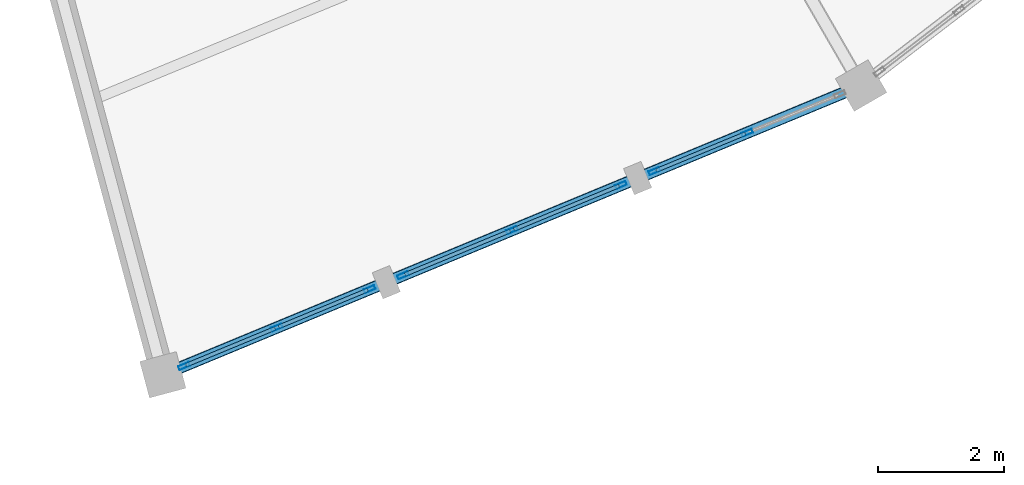
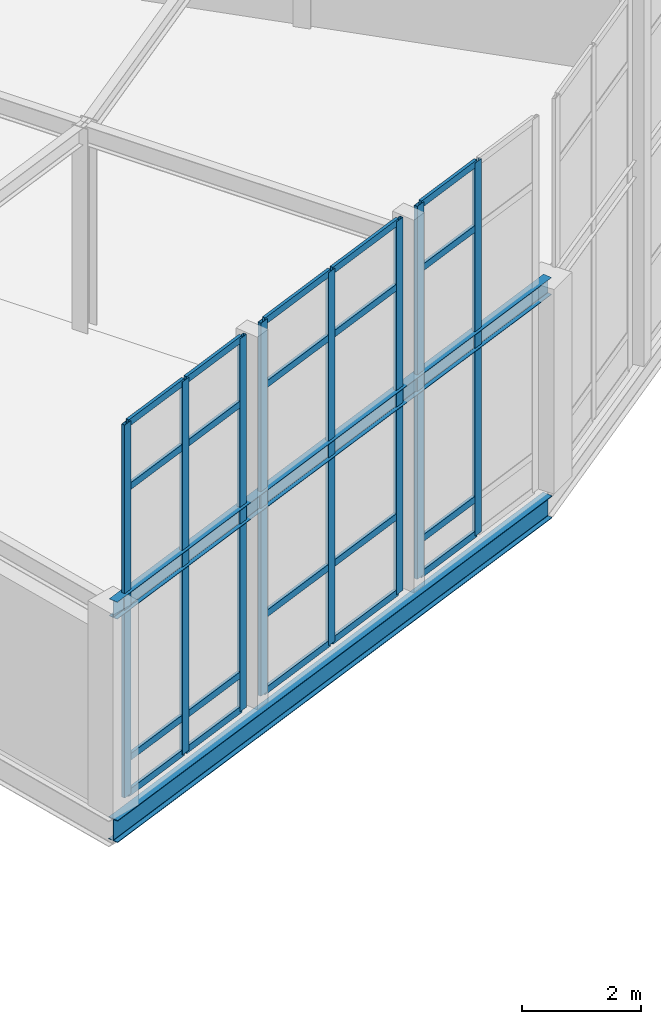
# One storey, part 33 of 170: 28 members, 2 beams, 3 elements without a shape of their own.
"""IFC4 building model written with IfcOpenShell, lengths in metres."""

from ifc_helpers import new_model, si_unit, direction, frame, origin, origin_2d, place, context, subcontext, project, spatial, hollow_rectangle, i_section, extrude, material, material_profile, profile_set, type_object, element, aggregate, save


model = new_model("IFC4")

# Units and contexts
model_context = context("Model", 3, precision=1e-05, world=origin(), true_north=direction((0.0, 1.0)))
body_context = subcontext(model_context, "Body", "Model", "MODEL_VIEW")
ifc_project = project(units=[si_unit("LENGTHUNIT", "METRE"), si_unit("AREAUNIT", "SQUARE_METRE"), si_unit("VOLUMEUNIT", "CUBIC_METRE"), si_unit("PLANEANGLEUNIT", "RADIAN"), si_unit("MASSUNIT", "GRAM", prefix="KILO")], contexts=[model_context])

# Site, building, storey
site_placement = place(None, origin())
site = spatial("IfcSite", under=ifc_project, at=site_placement, CompositionType="ELEMENT")
building_placement = place(site_placement, origin())
building = spatial("IfcBuilding", under=site, at=building_placement, Name="Vondelvale Polytechnic", CompositionType="ELEMENT")
storey_placement = place(building_placement, frame((0.0, 0.0, 5.39990234375)))
storey = spatial("IfcBuildingStorey", under=building, at=storey_placement, Name="L01", CompositionType="ELEMENT", Elevation=5.39990234375)

# Beams
ifc_material_1 = material(Name="Steel 300PLUS (fy = 300 MPa)", Category="steel")
ifc_material_profile_1 = material_profile(ifc_material_1, i_section(OverallWidth=0.1708984375, OverallDepth=0.35205078125, WebThickness=0.0068359375, FlangeThickness=0.009765625, FilletRadius=0.011474609375, at=origin_2d()), Name="360UB44.7")
ifc_profile_set_1 = profile_set([ifc_material_profile_1], Name="Steel 300PLUS (fy = 300 MPa)")
beam_type_1 = type_object("IfcBeamType", Name="BM-UB360L", PredefinedType="BEAM", material=ifc_profile_set_1)
beam_1_placement = place(storey_placement, frame((113.90576171875, 27.5673828125, 4.024169921875), z_axis=(0.923877323614, 0.382688765072, 0.0), x_axis=(-0.382688765072, 0.923877323614, 0.0)))
element("IfcBeam", 1, at=beam_1_placement, inside=storey, type_object=beam_type_1, Name="L01 RE B-24", PredefinedType="BEAM", context=body_context, shape_type="SweptSolid", body=[
    extrude(i_section(OverallWidth=0.1708984375, OverallDepth=0.35205078125, WebThickness=0.0068359375, FlangeThickness=0.009765625, FilletRadius=0.011474609375, at=origin_2d()), origin(), (0.0, 0.0, 1.0), 12.00830078125),
])
ifc_material_profile_2 = material_profile(ifc_material_1, i_section(OverallWidth=0.18994140625, OverallDepth=0.45703125, WebThickness=0.009033203125, FlangeThickness=0.014404296875, FilletRadius=0.011474609375, at=origin_2d()), Name="460UB74.6")
ifc_profile_set_2 = profile_set([ifc_material_profile_2], Name="Steel 300PLUS (fy = 300 MPa)")
beam_type_2 = type_object("IfcBeamType", Name="BM-UB460", PredefinedType="BEAM", material=ifc_profile_set_2)
beam_2_placement = place(storey_placement, frame((113.90576171875, 27.5673828125, -0.50830078125), z_axis=(0.923877323614, 0.382688765072, 0.0), x_axis=(-0.382688765072, 0.923877323614, 0.0)))
element("IfcBeam", 2, at=beam_2_placement, inside=storey, type_object=beam_type_2, Name="L01 RB B-13", PredefinedType="BEAM", context=body_context, shape_type="SweptSolid", body=[
    extrude(i_section(OverallWidth=0.18994140625, OverallDepth=0.45703125, WebThickness=0.009033203125, FlangeThickness=0.014404296875, FilletRadius=0.011474609375, at=origin_2d()), origin(), (0.0, 0.0, 1.0), 12.00830078125),
])

# Curtain wall, members
ifc_material_2 = material(Name="Glulam GL18 structural Tasmanian oak (fb = 42 MPa)", Category="wood")
curtain_wall_type = type_object("IfcCurtainWallType", Name="CW-RING-OUTER", PredefinedType="NOTDEFINED", material=ifc_material_2)
curtain_wall_1_placement = place(storey_placement, origin())
curtain_wall_1 = element("IfcCurtainWall", 3, at=curtain_wall_1_placement, inside=storey, type_object=curtain_wall_type, Name="L01 architectural curtain wall CW-04-338", PredefinedType="NOTDEFINED")
ifc_material_3 = material(Name="Anodised extruded aluminium 6063-T6", Category="aluminium")
ifc_material_profile_3 = material_profile(ifc_material_3, hollow_rectangle(XDim=0.06494140625, YDim=0.179931640625, WallThickness=0.00390625, at=origin_2d()), Name="CW-MUL-180x65")
ifc_profile_set_3 = profile_set([ifc_material_profile_3], Name="Anodised extruded aluminium 6063-T6")
member_type_1 = type_object("IfcMemberType", Name="CW-MUL-65x180", PredefinedType="MULLION", material=ifc_profile_set_3)
member_1_placement = place(storey_placement, frame((114.2431640625, 27.70703125, 0.0), z_axis=(0.0, 0.0, 1.0), x_axis=(-0.382677394529, 0.923882033442, 0.0)))
member_1 = element("IfcMember", 4, at=member_1_placement, type_object=member_type_1, Name="CW-04-338 mullion 1", PredefinedType="MULLION", context=body_context, shape_type="SweptSolid", body=[
    extrude(hollow_rectangle(XDim=0.06494140625, YDim=0.179931640625, WallThickness=0.00390625, at=origin_2d()), origin(), (0.0, 0.0, 1.0), 7.661376953125),
])
member_2_placement = place(storey_placement, frame((115.716796875, 28.3173828125, 0.0), z_axis=(0.0, 0.0, 1.0), x_axis=(-0.382677394529, 0.923882033442, 0.0)))
member_2 = element("IfcMember", 5, at=member_2_placement, type_object=member_type_1, Name="CW-04-338 mullion 2", PredefinedType="MULLION", context=body_context, shape_type="SweptSolid", body=[
    extrude(hollow_rectangle(XDim=0.06494140625, YDim=0.179931640625, WallThickness=0.00390625, at=origin_2d()), origin(), (0.0, 0.0, 1.0), 7.661376953125),
])
member_3_placement = place(storey_placement, frame((117.190185546875, 28.927978515625, 0.0), z_axis=(0.0, 0.0, 1.0), x_axis=(-0.382677394529, 0.923882033442, 0.0)))
member_3 = element("IfcMember", 6, at=member_3_placement, type_object=member_type_1, Name="CW-04-338 mullion 3", PredefinedType="MULLION", context=body_context, shape_type="SweptSolid", body=[
    extrude(hollow_rectangle(XDim=0.06494140625, YDim=0.179931640625, WallThickness=0.00390625, at=origin_2d()), origin(), (0.0, 0.0, 1.0), 7.661376953125),
])

curtain_wall_2_placement = place(storey_placement, origin())
curtain_wall_2 = element("IfcCurtainWall", 7, at=curtain_wall_2_placement, inside=storey, type_object=curtain_wall_type, Name="L01 architectural curtain wall CW-04-339", PredefinedType="NOTDEFINED")
member_4_placement = place(storey_placement, frame((117.721435546875, 29.14794921875, 0.0), z_axis=(0.0, 0.0, 1.0), x_axis=(-0.382694599123, 0.92387490701, 0.0)))
member_4 = element("IfcMember", 8, at=member_4_placement, type_object=member_type_1, Name="CW-04-339 mullion 1", PredefinedType="MULLION", context=body_context, shape_type="SweptSolid", body=[
    extrude(hollow_rectangle(XDim=0.06494140625, YDim=0.179931640625, WallThickness=0.00390625, at=origin_2d()), origin(), (0.0, 0.0, 1.0), 7.661376953125),
])
member_5_placement = place(storey_placement, frame((119.452880859375, 29.864990234375, 0.0), z_axis=(0.0, 0.0, 1.0), x_axis=(-0.382694599123, 0.92387490701, 0.0)))
member_5 = element("IfcMember", 9, at=member_5_placement, type_object=member_type_1, Name="CW-04-339 mullion 2", PredefinedType="MULLION", context=body_context, shape_type="SweptSolid", body=[
    extrude(hollow_rectangle(XDim=0.06494140625, YDim=0.179931640625, WallThickness=0.00390625, at=origin_2d()), origin(), (0.0, 0.0, 1.0), 7.661376953125),
])
member_6_placement = place(storey_placement, frame((121.18408203125, 30.582275390625, 0.0), z_axis=(0.0, 0.0, 1.0), x_axis=(-0.382694599123, 0.92387490701, 0.0)))
member_6 = element("IfcMember", 10, at=member_6_placement, type_object=member_type_1, Name="CW-04-339 mullion 3", PredefinedType="MULLION", context=body_context, shape_type="SweptSolid", body=[
    extrude(hollow_rectangle(XDim=0.06494140625, YDim=0.179931640625, WallThickness=0.00390625, at=origin_2d()), origin(), (0.0, 0.0, 1.0), 7.661376953125),
])

curtain_wall_3_placement = place(storey_placement, origin())
curtain_wall_3 = element("IfcCurtainWall", 11, at=curtain_wall_3_placement, inside=storey, type_object=curtain_wall_type, Name="L01 architectural curtain wall CW-04-340", PredefinedType="NOTDEFINED")
member_7_placement = place(storey_placement, frame((121.71533203125, 30.80224609375, 0.0), z_axis=(0.0, 0.0, 1.0), x_axis=(-0.382677394529, 0.923882033442, 0.0)))
member_7 = element("IfcMember", 12, at=member_7_placement, type_object=member_type_1, Name="CW-04-340 mullion 1", PredefinedType="MULLION", context=body_context, shape_type="SweptSolid", body=[
    extrude(hollow_rectangle(XDim=0.06494140625, YDim=0.179931640625, WallThickness=0.00390625, at=origin_2d()), origin(), (0.0, 0.0, 1.0), 7.661376953125),
])
member_8_placement = place(storey_placement, frame((123.18896484375, 31.41259765625, 0.0), z_axis=(0.0, 0.0, 1.0), x_axis=(-0.382677394529, 0.923882033442, 0.0)))
member_8 = element("IfcMember", 13, at=member_8_placement, type_object=member_type_1, Name="CW-04-340 mullion 2", PredefinedType="MULLION", context=body_context, shape_type="SweptSolid", body=[
    extrude(hollow_rectangle(XDim=0.06494140625, YDim=0.179931640625, WallThickness=0.00390625, at=origin_2d()), origin(), (0.0, 0.0, 1.0), 7.661376953125),
])

# Member
ifc_material_profile_4 = material_profile(ifc_material_3, hollow_rectangle(XDim=0.06005859375, YDim=0.139892578125, WallThickness=0.00341796875, at=origin_2d()), Name="CW-TRN-140x60")
ifc_profile_set_4 = profile_set([ifc_material_profile_4], Name="Anodised extruded aluminium 6063-T6")
member_type_2 = type_object("IfcMemberType", Name="CW-TRN-60x140", PredefinedType="USERDEFINED", material=ifc_profile_set_4)
member_9_placement = place(storey_placement, frame((114.273193359375, 27.719482421875, 0.030029296875), z_axis=(0.923839843027, 0.382779237206, 0.0), x_axis=(-0.382779237206, 0.923839843027, 0.0)))
member_9 = element("IfcMember", 14, at=member_9_placement, type_object=member_type_2, Name="CW-04-338 transom 1.1", ObjectType="TRANSOM", PredefinedType="USERDEFINED", context=body_context, shape_type="SweptSolid", body=[
    extrude(hollow_rectangle(XDim=0.06005859375, YDim=0.139892578125, WallThickness=0.00341796875, at=origin_2d()), origin(), (0.0, 0.0, 1.0), 1.530029296875),
])

member_10_placement = place(storey_placement, frame((114.273193359375, 27.719482421875, 0.75), z_axis=(0.923839843027, 0.382779237206, 0.0), x_axis=(-0.382779237206, 0.923839843027, 0.0)))
member_10 = element("IfcMember", 15, at=member_10_placement, type_object=member_type_2, Name="CW-04-338 transom 1.2", ObjectType="TRANSOM", PredefinedType="USERDEFINED", context=body_context, shape_type="SweptSolid", body=[
    extrude(hollow_rectangle(XDim=0.06005859375, YDim=0.139892578125, WallThickness=0.00341796875, at=origin_2d()), origin(), (0.0, 0.0, 1.0), 1.530029296875),
])

member_11_placement = place(storey_placement, frame((114.273193359375, 27.719482421875, 6.3115234375), z_axis=(0.923839843027, 0.382779237206, 0.0), x_axis=(-0.382779237206, 0.923839843027, 0.0)))
member_11 = element("IfcMember", 16, at=member_11_placement, type_object=member_type_2, Name="CW-04-338 transom 1.3", ObjectType="TRANSOM", PredefinedType="USERDEFINED", context=body_context, shape_type="SweptSolid", body=[
    extrude(hollow_rectangle(XDim=0.06005859375, YDim=0.139892578125, WallThickness=0.00341796875, at=origin_2d()), origin(), (0.0, 0.0, 1.0), 1.530029296875),
])

member_12_placement = place(storey_placement, frame((114.273193359375, 27.719482421875, 7.631591796875), z_axis=(0.923839843027, 0.382779237206, 0.0), x_axis=(-0.382779237206, 0.923839843027, 0.0)))
member_12 = element("IfcMember", 17, at=member_12_placement, type_object=member_type_2, Name="CW-04-338 transom 1.4", ObjectType="TRANSOM", PredefinedType="USERDEFINED", context=body_context, shape_type="SweptSolid", body=[
    extrude(hollow_rectangle(XDim=0.06005859375, YDim=0.139892578125, WallThickness=0.00341796875, at=origin_2d()), origin(), (0.0, 0.0, 1.0), 1.530029296875),
])

member_13_placement = place(storey_placement, frame((115.746826171875, 28.329833984375, 0.030029296875), z_axis=(0.923816459452, 0.382835668721, 0.0), x_axis=(-0.382835668721, 0.923816459452, 0.0)))
member_13 = element("IfcMember", 18, at=member_13_placement, type_object=member_type_2, Name="CW-04-338 transom 2.1", ObjectType="TRANSOM", PredefinedType="USERDEFINED", context=body_context, shape_type="SweptSolid", body=[
    extrude(hollow_rectangle(XDim=0.06005859375, YDim=0.139892578125, WallThickness=0.00341796875, at=origin_2d()), origin(), (0.0, 0.0, 1.0), 1.52978515625),
])

member_14_placement = place(storey_placement, frame((115.746826171875, 28.329833984375, 0.75), z_axis=(0.923816459452, 0.382835668721, 0.0), x_axis=(-0.382835668721, 0.923816459452, 0.0)))
member_14 = element("IfcMember", 19, at=member_14_placement, type_object=member_type_2, Name="CW-04-338 transom 2.2", ObjectType="TRANSOM", PredefinedType="USERDEFINED", context=body_context, shape_type="SweptSolid", body=[
    extrude(hollow_rectangle(XDim=0.06005859375, YDim=0.139892578125, WallThickness=0.00341796875, at=origin_2d()), origin(), (0.0, 0.0, 1.0), 1.52978515625),
])

member_15_placement = place(storey_placement, frame((115.746826171875, 28.329833984375, 6.3115234375), z_axis=(0.923816459452, 0.382835668721, 0.0), x_axis=(-0.382835668721, 0.923816459452, 0.0)))
member_15 = element("IfcMember", 20, at=member_15_placement, type_object=member_type_2, Name="CW-04-338 transom 2.3", ObjectType="TRANSOM", PredefinedType="USERDEFINED", context=body_context, shape_type="SweptSolid", body=[
    extrude(hollow_rectangle(XDim=0.06005859375, YDim=0.139892578125, WallThickness=0.00341796875, at=origin_2d()), origin(), (0.0, 0.0, 1.0), 1.52978515625),
])

member_16_placement = place(storey_placement, frame((115.746826171875, 28.329833984375, 7.631591796875), z_axis=(0.923816459452, 0.382835668721, 0.0), x_axis=(-0.382835668721, 0.923816459452, 0.0)))
member_16 = element("IfcMember", 21, at=member_16_placement, type_object=member_type_2, Name="CW-04-338 transom 2.4", ObjectType="TRANSOM", PredefinedType="USERDEFINED", context=body_context, shape_type="SweptSolid", body=[
    extrude(hollow_rectangle(XDim=0.06005859375, YDim=0.139892578125, WallThickness=0.00341796875, at=origin_2d()), origin(), (0.0, 0.0, 1.0), 1.52978515625),
])

aggregate(curtain_wall_1, [member_1, member_2, member_3, member_9, member_10, member_11, member_12, member_13, member_14, member_15, member_16])

member_17_placement = place(storey_placement, frame((117.75146484375, 29.160400390625, 0.030029296875), z_axis=(0.923865506878, 0.382717291485, 0.0), x_axis=(-0.382717291485, 0.923865506878, 0.0)))
member_17 = element("IfcMember", 22, at=member_17_placement, type_object=member_type_2, Name="CW-04-339 transom 1.1", ObjectType="TRANSOM", PredefinedType="USERDEFINED", context=body_context, shape_type="SweptSolid", body=[
    extrude(hollow_rectangle(XDim=0.06005859375, YDim=0.139892578125, WallThickness=0.00341796875, at=origin_2d()), origin(), (0.0, 0.0, 1.0), 1.80908203125),
])

member_18_placement = place(storey_placement, frame((117.75146484375, 29.160400390625, 1.60009765625), z_axis=(0.923865506878, 0.382717291485, 0.0), x_axis=(-0.382717291485, 0.923865506878, 0.0)))
member_18 = element("IfcMember", 23, at=member_18_placement, type_object=member_type_2, Name="CW-04-339 transom 1.2", ObjectType="TRANSOM", PredefinedType="USERDEFINED", context=body_context, shape_type="SweptSolid", body=[
    extrude(hollow_rectangle(XDim=0.06005859375, YDim=0.139892578125, WallThickness=0.00341796875, at=origin_2d()), origin(), (0.0, 0.0, 1.0), 1.80908203125),
])

member_19_placement = place(storey_placement, frame((117.75146484375, 29.160400390625, 6.3115234375), z_axis=(0.923865506878, 0.382717291485, 0.0), x_axis=(-0.382717291485, 0.923865506878, 0.0)))
member_19 = element("IfcMember", 24, at=member_19_placement, type_object=member_type_2, Name="CW-04-339 transom 1.3", ObjectType="TRANSOM", PredefinedType="USERDEFINED", context=body_context, shape_type="SweptSolid", body=[
    extrude(hollow_rectangle(XDim=0.06005859375, YDim=0.139892578125, WallThickness=0.00341796875, at=origin_2d()), origin(), (0.0, 0.0, 1.0), 1.80908203125),
])

member_20_placement = place(storey_placement, frame((117.75146484375, 29.160400390625, 7.631591796875), z_axis=(0.923865506878, 0.382717291485, 0.0), x_axis=(-0.382717291485, 0.923865506878, 0.0)))
member_20 = element("IfcMember", 25, at=member_20_placement, type_object=member_type_2, Name="CW-04-339 transom 1.4", ObjectType="TRANSOM", PredefinedType="USERDEFINED", context=body_context, shape_type="SweptSolid", body=[
    extrude(hollow_rectangle(XDim=0.06005859375, YDim=0.139892578125, WallThickness=0.00341796875, at=origin_2d()), origin(), (0.0, 0.0, 1.0), 1.80908203125),
])

member_21_placement = place(storey_placement, frame((119.48291015625, 29.87744140625, 0.030029296875), z_axis=(0.92384573676, 0.382765012338, 0.0), x_axis=(-0.382765012338, 0.92384573676, 0.0)))
member_21 = element("IfcMember", 26, at=member_21_placement, type_object=member_type_2, Name="CW-04-339 transom 2.1", ObjectType="TRANSOM", PredefinedType="USERDEFINED", context=body_context, shape_type="SweptSolid", body=[
    extrude(hollow_rectangle(XDim=0.06005859375, YDim=0.139892578125, WallThickness=0.00341796875, at=origin_2d()), origin(), (0.0, 0.0, 1.0), 1.808837890625),
])

member_22_placement = place(storey_placement, frame((119.48291015625, 29.87744140625, 1.60009765625), z_axis=(0.92384573676, 0.382765012338, 0.0), x_axis=(-0.382765012338, 0.92384573676, 0.0)))
member_22 = element("IfcMember", 27, at=member_22_placement, type_object=member_type_2, Name="CW-04-339 transom 2.2", ObjectType="TRANSOM", PredefinedType="USERDEFINED", context=body_context, shape_type="SweptSolid", body=[
    extrude(hollow_rectangle(XDim=0.06005859375, YDim=0.139892578125, WallThickness=0.00341796875, at=origin_2d()), origin(), (0.0, 0.0, 1.0), 1.808837890625),
])

member_23_placement = place(storey_placement, frame((119.48291015625, 29.87744140625, 6.3115234375), z_axis=(0.92384573676, 0.382765012338, 0.0), x_axis=(-0.382765012338, 0.92384573676, 0.0)))
member_23 = element("IfcMember", 28, at=member_23_placement, type_object=member_type_2, Name="CW-04-339 transom 2.3", ObjectType="TRANSOM", PredefinedType="USERDEFINED", context=body_context, shape_type="SweptSolid", body=[
    extrude(hollow_rectangle(XDim=0.06005859375, YDim=0.139892578125, WallThickness=0.00341796875, at=origin_2d()), origin(), (0.0, 0.0, 1.0), 1.808837890625),
])

member_24_placement = place(storey_placement, frame((119.48291015625, 29.87744140625, 7.631591796875), z_axis=(0.92384573676, 0.382765012338, 0.0), x_axis=(-0.382765012338, 0.92384573676, 0.0)))
member_24 = element("IfcMember", 29, at=member_24_placement, type_object=member_type_2, Name="CW-04-339 transom 2.4", ObjectType="TRANSOM", PredefinedType="USERDEFINED", context=body_context, shape_type="SweptSolid", body=[
    extrude(hollow_rectangle(XDim=0.06005859375, YDim=0.139892578125, WallThickness=0.00341796875, at=origin_2d()), origin(), (0.0, 0.0, 1.0), 1.808837890625),
])

aggregate(curtain_wall_2, [member_4, member_5, member_6, member_17, member_18, member_19, member_20, member_21, member_22, member_23, member_24])

member_25_placement = place(storey_placement, frame((121.745361328125, 30.814697265625, 0.030029296875), z_axis=(0.923896260346, 0.382643045304, 0.0), x_axis=(-0.382643045304, 0.923896260346, 0.0)))
member_25 = element("IfcMember", 30, at=member_25_placement, type_object=member_type_2, Name="CW-04-340 transom 1.1", ObjectType="TRANSOM", PredefinedType="USERDEFINED", context=body_context, shape_type="SweptSolid", body=[
    extrude(hollow_rectangle(XDim=0.06005859375, YDim=0.139892578125, WallThickness=0.00341796875, at=origin_2d()), origin(), (0.0, 0.0, 1.0), 1.530029296875),
])

member_26_placement = place(storey_placement, frame((121.745361328125, 30.814697265625, 0.75), z_axis=(0.923896260346, 0.382643045304, 0.0), x_axis=(-0.382643045304, 0.923896260346, 0.0)))
member_26 = element("IfcMember", 31, at=member_26_placement, type_object=member_type_2, Name="CW-04-340 transom 1.2", ObjectType="TRANSOM", PredefinedType="USERDEFINED", context=body_context, shape_type="SweptSolid", body=[
    extrude(hollow_rectangle(XDim=0.06005859375, YDim=0.139892578125, WallThickness=0.00341796875, at=origin_2d()), origin(), (0.0, 0.0, 1.0), 1.530029296875),
])

member_27_placement = place(storey_placement, frame((121.745361328125, 30.814697265625, 6.3115234375), z_axis=(0.923896260346, 0.382643045304, 0.0), x_axis=(-0.382643045304, 0.923896260346, 0.0)))
member_27 = element("IfcMember", 32, at=member_27_placement, type_object=member_type_2, Name="CW-04-340 transom 1.3", ObjectType="TRANSOM", PredefinedType="USERDEFINED", context=body_context, shape_type="SweptSolid", body=[
    extrude(hollow_rectangle(XDim=0.06005859375, YDim=0.139892578125, WallThickness=0.00341796875, at=origin_2d()), origin(), (0.0, 0.0, 1.0), 1.530029296875),
])

member_28_placement = place(storey_placement, frame((121.745361328125, 30.814697265625, 7.631591796875), z_axis=(0.923896260346, 0.382643045304, 0.0), x_axis=(-0.382643045304, 0.923896260346, 0.0)))
member_28 = element("IfcMember", 33, at=member_28_placement, type_object=member_type_2, Name="CW-04-340 transom 1.4", ObjectType="TRANSOM", PredefinedType="USERDEFINED", context=body_context, shape_type="SweptSolid", body=[
    extrude(hollow_rectangle(XDim=0.06005859375, YDim=0.139892578125, WallThickness=0.00341796875, at=origin_2d()), origin(), (0.0, 0.0, 1.0), 1.530029296875),
])

aggregate(curtain_wall_3, [member_7, member_8, member_25, member_26, member_27, member_28])

save(model, "model.ifc")
